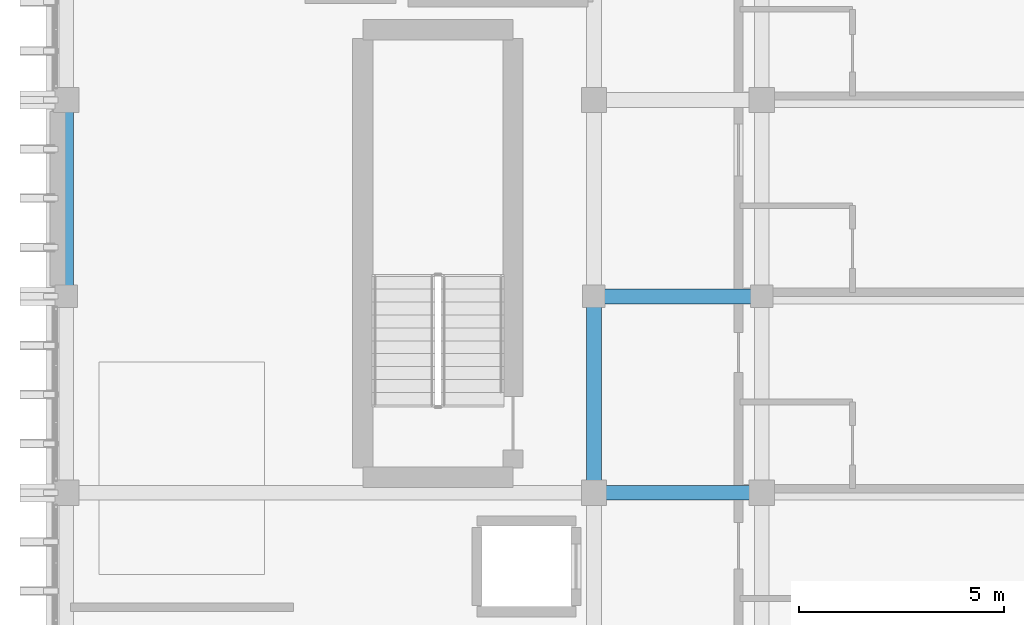
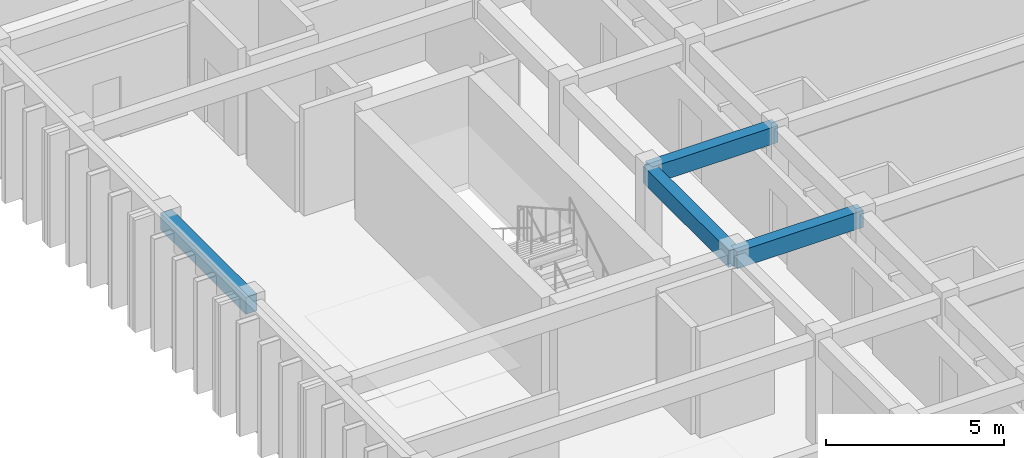
# One storey, part 11 of 50: 4 beams.
"""IFC4 building model written with IfcOpenShell, lengths in metres."""

from ifc_helpers import new_model, si_unit, direction, frame, origin, origin_2d, place, context, subcontext, project, spatial, rectangle, extrude, material, material_profile, profile_set, type_object, element, save


model = new_model("IFC4")

# Units and contexts
model_context = context("Model", 3, precision=1e-05, world=origin(), true_north=direction((0.0, 1.0)))
body_context = subcontext(model_context, "Body", "Model", "MODEL_VIEW")
ifc_project = project(units=[si_unit("LENGTHUNIT", "METRE"), si_unit("AREAUNIT", "SQUARE_METRE"), si_unit("VOLUMEUNIT", "CUBIC_METRE"), si_unit("PLANEANGLEUNIT", "RADIAN"), si_unit("MASSUNIT", "GRAM", prefix="KILO")], contexts=[model_context])

# Site, building, storey
site_placement = place(None, origin())
site = spatial("IfcSite", under=ifc_project, at=site_placement, CompositionType="ELEMENT")
building_placement = place(site_placement, origin())
building = spatial("IfcBuilding", under=site, at=building_placement, Name="Nakhvara Creek Congress Hotel", CompositionType="ELEMENT")
storey_placement = place(building_placement, frame((0.0, 0.0, 42.60009765625)))
storey = spatial("IfcBuildingStorey", under=building, at=storey_placement, Name="L10", CompositionType="ELEMENT", Elevation=42.60009765625)

# Beams
ifc_material = material(Name="Concrete C40/50", Category="concrete")
ifc_material_profile = material_profile(ifc_material, rectangle(XDim=0.360107421875, YDim=0.580078125, at=origin_2d()), Name="RC-BM 360x580", Category="LoadBearing")
ifc_profile_set = profile_set([ifc_material_profile], Name="Concrete C40/50")
beam_type = type_object("IfcBeamType", Name="BM-RC-360X580", PredefinedType="BEAM", material=ifc_profile_set)
beam_1_placement = place(storey_placement, frame((149.449951171875, 81.60009765625, 3.369873046875), z_axis=(0.0, 1.0, 0.0), x_axis=(-1.0, 0.0, 0.0)))
element("IfcBeam", 1, at=beam_1_placement, inside=storey, type_object=beam_type, Name="Beam B09-L10-2636", PredefinedType="BEAM", context=body_context, shape_type="SweptSolid", body=[
    extrude(rectangle(XDim=0.360107421875, YDim=0.580078125, at=origin_2d()), origin(), (0.0, 0.0, 1.0), 4.7998046875),
])
beam_2_placement = place(storey_placement, frame((162.35009765625, 76.800048828125, 3.369873046875), z_axis=(1.0, 0.0, 0.0), x_axis=(0.0, 1.0, 0.0)))
element("IfcBeam", 2, at=beam_2_placement, inside=storey, type_object=beam_type, Name="Beam B09-L10-2651", PredefinedType="BEAM", context=body_context, shape_type="SweptSolid", body=[
    extrude(rectangle(XDim=0.360107421875, YDim=0.580078125, at=origin_2d()), origin(), (0.0, 0.0, 1.0), 4.099853515625),
])
beam_3_placement = place(storey_placement, frame((162.35009765625, 76.800048828125, 3.369873046875), z_axis=(0.0, 1.0, 0.0), x_axis=(-1.0, 0.0, 0.0)))
element("IfcBeam", 3, at=beam_3_placement, inside=storey, type_object=beam_type, Name="Beam B09-L10-2653", PredefinedType="BEAM", context=body_context, shape_type="SweptSolid", body=[
    extrude(rectangle(XDim=0.360107421875, YDim=0.580078125, at=origin_2d()), origin(), (0.0, 0.0, 1.0), 4.800048828125),
])
beam_4_placement = place(storey_placement, frame((162.35009765625, 81.60009765625, 3.369873046875), z_axis=(1.0, 0.0, 0.0), x_axis=(0.0, 1.0, 0.0)))
element("IfcBeam", 4, at=beam_4_placement, inside=storey, type_object=beam_type, Name="Beam B09-L10-2708", PredefinedType="BEAM", context=body_context, shape_type="SweptSolid", body=[
    extrude(rectangle(XDim=0.360107421875, YDim=0.580078125, at=origin_2d()), origin(), (0.0, 0.0, 1.0), 4.099853515625),
])

save(model, "model.ifc")
